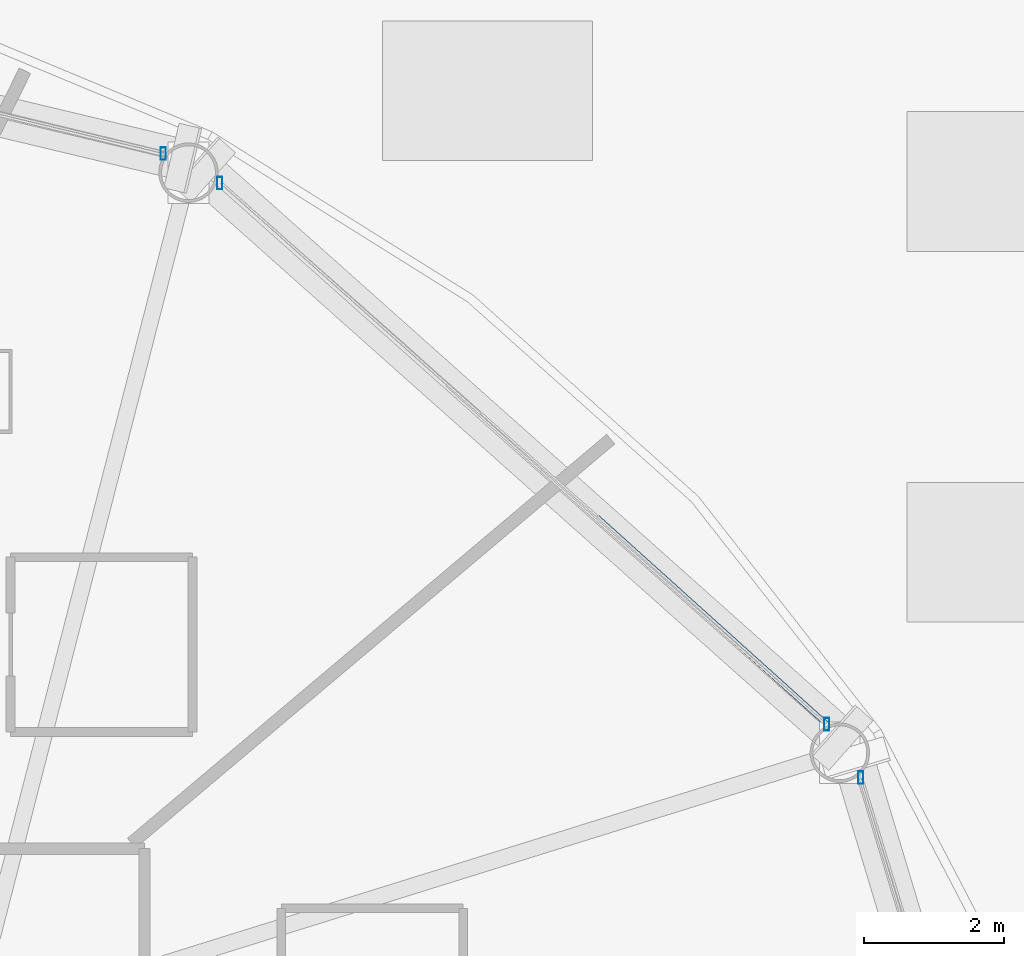
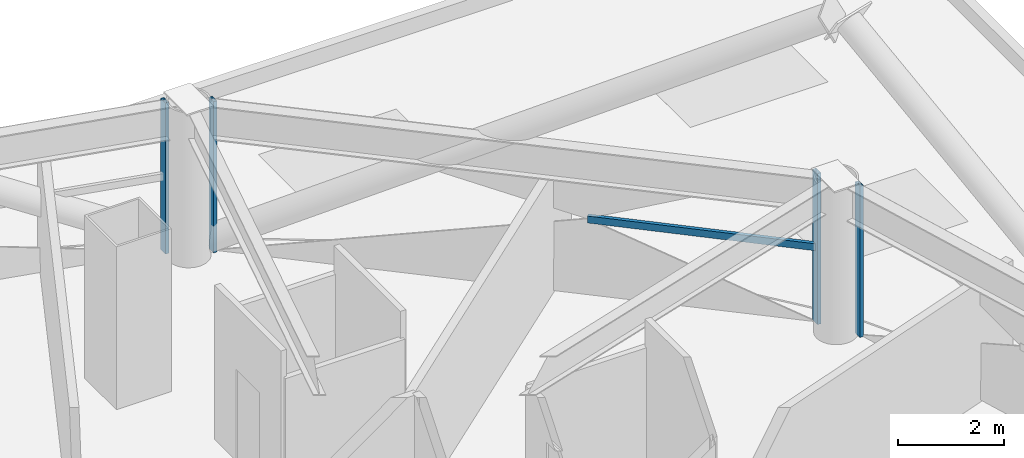
# One storey, part 16 of 27: 5 members, 3 elements without a shape of their own.
"""IFC4 building model written with IfcOpenShell, lengths in metres."""

import ifcopenshell
import ifcopenshell.guid

model = None  # the IFC model being written
_history = None  # IfcOwnerHistory: only IFC2X3 demands one
_inside = {}  # id of a spatial element -> (the spatial element, [elements in it])
_under = {}  # id of a project, library or spatial element -> (it, [spatial elements below it])
_declared = {}  # id of a project -> (the project, [libraries it declares])
_typed = {}  # id of a type object -> (the type object, [elements of that type])
_made_of = {}  # id of a material, layer set ... -> (it, [elements and type objects made of it])


def new_model(schema):
    """Start an empty IFC model of exactly this schema.

    Asked for "IFC4X3", IfcOpenShell would pick the latest addendum, in which some entities
    have other attributes; the version numbers below select the first issue.
    IFC2X3 requires an IfcOwnerHistory on every rooted entity: one is made here for all.
    """
    global model, _history
    if schema == "IFC4X3":
        model = ifcopenshell.file(schema_version=(4, 3, 0, 0))
    else:
        model = ifcopenshell.file(schema=schema)
    _inside.clear()
    _under.clear()
    _declared.clear()
    _typed.clear()
    _made_of.clear()
    _history = None
    if model.schema == "IFC2X3":
        org = make("IfcOrganization", Name="unknown")
        user = make(
            "IfcPersonAndOrganization",
            ThePerson=make("IfcPerson", FamilyName="unknown"),
            TheOrganization=org,
        )
        app = make(
            "IfcApplication",
            ApplicationDeveloper=org,
            Version="unknown",
            ApplicationFullName="unknown",
            ApplicationIdentifier="unknown",
        )
        _history = make(
            "IfcOwnerHistory",
            OwningUser=user,
            OwningApplication=app,
            ChangeAction="ADDED",
            CreationDate=0,
        )
    return model


def make(cls, **values):
    """One entity of the class cls with the attributes given. An attribute that is None is left unset."""
    return model.create_entity(
        cls, **{name: value for name, value in values.items() if value is not None}
    )


def rooted(cls, **values):
    """An entity with a GlobalId (a new one), such as an element, a storey or a relation."""
    return make(cls, GlobalId=ifcopenshell.guid.new(), OwnerHistory=_history, **values)


def si_unit(unit_type, name, prefix=None):
    """IfcSIUnit, for example si_unit("LENGTHUNIT", "METRE", prefix="MILLI")."""
    return make("IfcSIUnit", UnitType=unit_type, Prefix=prefix, Name=name)


def assignment(units):
    """IfcUnitAssignment: the units of a project."""
    return None if units is None else make("IfcUnitAssignment", Units=units)


def point(xyz):
    """IfcCartesianPoint."""
    return None if xyz is None else make("IfcCartesianPoint", Coordinates=xyz)


def direction(xyz):
    """IfcDirection."""
    return None if xyz is None else make("IfcDirection", DirectionRatios=xyz)


def frame(location, z_axis=None, x_axis=None):
    """IfcAxis2Placement3D, a coordinate frame: its origin and axes. An axis left out is left unset."""
    return make(
        "IfcAxis2Placement3D",
        Location=point(location),
        Axis=direction(z_axis),
        RefDirection=direction(x_axis),
    )


def frame_2d(location, x_axis=None):
    """IfcAxis2Placement2D, a coordinate frame in the plane: its origin and x axis."""
    return make(
        "IfcAxis2Placement2D", Location=point(location), RefDirection=direction(x_axis)
    )


def origin():
    """The frame at (0, 0, 0) with its axes left unset."""
    return frame((0.0, 0.0, 0.0))


def origin_2d():
    """The frame at (0, 0) in the plane with its x axis left unset."""
    return frame_2d((0.0, 0.0))


def place(relative_to, where):
    """IfcLocalPlacement: puts the frame where relative to a parent placement (None: the world)."""
    return make(
        "IfcLocalPlacement", PlacementRelTo=relative_to, RelativePlacement=where
    )


def context(
    kind, dimensions, precision=None, world=None, true_north=None, identifier=None
):
    """IfcGeometricRepresentationContext, for example the 3D "Model" context."""
    return make(
        "IfcGeometricRepresentationContext",
        ContextIdentifier=identifier,
        ContextType=kind,
        CoordinateSpaceDimension=dimensions,
        Precision=precision,
        WorldCoordinateSystem=world,
        TrueNorth=true_north,
    )


def subcontext(parent, identifier, kind, view, scale=None):
    """IfcGeometricRepresentationSubContext, for example "Body" below "Model"."""
    return make(
        "IfcGeometricRepresentationSubContext",
        ContextIdentifier=identifier,
        ContextType=kind,
        ParentContext=parent,
        TargetScale=scale,
        TargetView=view,
    )


def project(units=None, contexts=None):
    """IfcProject with its units and contexts."""
    return rooted(
        "IfcProject",
        Name="project",
        RepresentationContexts=contexts,
        UnitsInContext=assignment(units),
    )


def spatial(cls, under=None, at=None, **own):
    """A site, building, storey or space (cls), placed at a placement, below another one or the project."""
    s = rooted(cls, ObjectPlacement=at, **own)
    if under is not None:
        _under.setdefault(under.id(), (under, []))[1].append(s)
    return s


def profile(cls, at=None, kind="AREA", **sizes):
    """A parametric profile (cls). Its sizes go by their IFC names, for example OverallWidth=200.0."""
    return make(cls, ProfileType=kind, Position=at, **sizes)


def hollow_rectangle(**sizes):
    """IfcRectangleHollowProfileDef."""
    return profile("IfcRectangleHollowProfileDef", **sizes)


def extrude(swept, where, along, depth):
    """IfcExtrudedAreaSolid: the profile swept, set in the frame where, extruded along a direction by depth."""
    return make(
        "IfcExtrudedAreaSolid",
        SweptArea=swept,
        Position=where,
        ExtrudedDirection=direction(along),
        Depth=depth,
    )


def shape(context_of_items, identifier, shape_type, items):
    """IfcShapeRepresentation: the items that make up one representation, for example the "Body"."""
    return make(
        "IfcShapeRepresentation",
        ContextOfItems=context_of_items,
        RepresentationIdentifier=identifier,
        RepresentationType=shape_type,
        Items=items,
    )


def material(Name=None, Category=None):
    """IfcMaterial."""
    return make("IfcMaterial", Name=Name, Category=Category)


def layer(
    of_material, thickness, ventilated=None, Name=None, Category=None, Priority=None
):
    """IfcMaterialLayer: one layer of a wall or slab, of a material (None: an air gap)."""
    return make(
        "IfcMaterialLayer",
        Material=of_material,
        LayerThickness=thickness,
        IsVentilated=ventilated,
        Name=Name,
        Category=Category,
        Priority=Priority,
    )


def layer_set(layers, Name=None):
    """IfcMaterialLayerSet."""
    return make("IfcMaterialLayerSet", MaterialLayers=layers, LayerSetName=Name)


def material_profile(
    of_material, cross_section, Name=None, Category=None, Priority=None
):
    """IfcMaterialProfile: a cross section and its material."""
    return make(
        "IfcMaterialProfile",
        Name=Name,
        Material=of_material,
        Profile=cross_section,
        Priority=Priority,
        Category=Category,
    )


def profile_set(profiles, Name=None, composite=None):
    """IfcMaterialProfileSet."""
    return make(
        "IfcMaterialProfileSet",
        Name=Name,
        MaterialProfiles=profiles,
        CompositeProfile=composite,
    )


def made_of(thing, what):
    """Note that an element or type object is made of a material, layer set ...; save() writes the relation."""
    if what is not None:
        _made_of.setdefault(what.id(), (what, []))[1].append(thing)
    return thing


def type_object(cls, material=None, **own):
    """A type object (cls), such as IfcWallType, which elements share."""
    return made_of(rooted(cls, **own), material)


def element(
    cls,
    number,
    at=None,
    inside=None,
    cuts=None,
    type_object=None,
    material=None,
    context=None,
    identifier="Body",
    shape_type=None,
    held_by="IfcProductDefinitionShape",
    body=None,
    shapes=None,
    **own,
):
    """One element of the class cls, such as IfcWall. Its Tag is "e" and its number.

    at: its placement. inside: the storey or other place that contains it. cuts: it is an
    opening in that element (IfcRelVoidsElement). A single representation is given by context,
    identifier, shape_type and body (its items); several are given by shapes. held_by: the class
    of the entity that holds the representations. save() writes the other relations.
    """
    e = rooted(cls, Tag="e%d" % number, ObjectPlacement=at, **own)
    if body is not None:
        shapes = [shape(context, identifier, shape_type, body)]
    if shapes is not None:
        e.Representation = make(held_by, Representations=shapes)
    if inside is not None:
        _inside.setdefault(inside.id(), (inside, []))[1].append(e)
    if cuts is not None:
        rooted(
            "IfcRelVoidsElement", RelatingBuildingElement=cuts, RelatedOpeningElement=e
        )
    if type_object is not None:
        _typed.setdefault(type_object.id(), (type_object, []))[1].append(e)
    return made_of(e, material)


def aggregate(whole, parts):
    """IfcRelAggregates: a whole, such as a stair, and the parts it consists of."""
    return rooted("IfcRelAggregates", RelatingObject=whole, RelatedObjects=parts)


def save(model, path):
    """Write the relations noted so far, then the file.

    IfcRelAggregates (storeys below a building ...), IfcRelContainedInSpatialStructure (elements
    in a storey), IfcRelDefinesByType, IfcRelAssociatesMaterial and IfcRelDeclares: one each for
    every whole, place, type object, material and project.
    """
    for whole, parts in _under.values():
        aggregate(whole, parts)
    for where, things in _inside.values():
        rooted(
            "IfcRelContainedInSpatialStructure",
            RelatedElements=things,
            RelatingStructure=where,
        )
    for kind, things in _typed.values():
        rooted("IfcRelDefinesByType", RelatedObjects=things, RelatingType=kind)
    for what, things in _made_of.values():
        rooted("IfcRelAssociatesMaterial", RelatedObjects=things, RelatingMaterial=what)
    for by, libraries in _declared.values():
        rooted("IfcRelDeclares", RelatingContext=by, RelatedDefinitions=libraries)
    model.write(path)


model = new_model("IFC4")

# Units and contexts
model_context = context("Model", 3, precision=1e-05, world=origin(), true_north=direction((0.0, 1.0)))
body_context = subcontext(model_context, "Body", "Model", "MODEL_VIEW")
ifc_project = project(units=[si_unit("LENGTHUNIT", "METRE"), si_unit("AREAUNIT", "SQUARE_METRE"), si_unit("VOLUMEUNIT", "CUBIC_METRE"), si_unit("PLANEANGLEUNIT", "RADIAN"), si_unit("MASSUNIT", "GRAM", prefix="KILO")], contexts=[model_context])

# Site, building, storey
site_placement = place(None, origin())
site = spatial("IfcSite", under=ifc_project, at=site_placement, CompositionType="ELEMENT")
building_placement = place(site_placement, origin())
building = spatial("IfcBuilding", under=site, at=building_placement, Name="Vantalir Tower", CompositionType="ELEMENT")
storey_placement = place(building_placement, frame((0.0, 0.0, 27.0)))
storey = spatial("IfcBuildingStorey", under=building, at=storey_placement, Name="L05", CompositionType="ELEMENT", Elevation=27.0)

# Curtain wall, member
ifc_material_1 = material(Name="Champagne-silver PVDF aluminium and double-silver Low-E glass", Category="aluminium")
ifc_layer = layer(ifc_material_1, 0.18994140625)
ifc_layer_set = layer_set([ifc_layer], Name="Champagne-silver PVDF aluminium and double-silver Low-E glass")
curtain_wall_type = type_object("IfcCurtainWallType", Name="CW-DIAMOND-Z1", PredefinedType="USERDEFINED", material=ifc_layer_set)
curtain_wall_1_placement = place(storey_placement, origin())
curtain_wall_1 = element("IfcCurtainWall", 1, at=curtain_wall_1_placement, inside=storey, type_object=curtain_wall_type, Name="L05 Quilted Pyramid-Diamond Curtain Wall S01", ObjectType="UNITISED CURTAIN WALL", PredefinedType="USERDEFINED")
ifc_material_2 = material(Name="Champagne-silver PVDF aluminium 6063-T6", Category="aluminium")
ifc_material_profile_1 = material_profile(ifc_material_2, hollow_rectangle(XDim=0.074951171875, YDim=0.179931640625, WallThickness=0.00390625, at=origin_2d()), Name="Champagne-silver PVDF aluminium 6063-T6")
ifc_profile_set_1 = profile_set([ifc_material_profile_1], Name="Champagne-silver PVDF aluminium 6063-T6")
member_type_1 = type_object("IfcMemberType", Name="CWM-180x75", PredefinedType="MULLION", material=ifc_profile_set_1)
member_1_placement = place(storey_placement, frame((53.840087890625, 35.97705078125, 0.044921875), z_axis=(0.0, 0.0, 1.0), x_axis=(1.0, 0.0, 0.0)))
member_1 = element("IfcMember", 2, at=member_1_placement, type_object=member_type_1, Name="CW-L05-S01 Mullion 2", PredefinedType="MULLION", context=body_context, shape_type="SweptSolid", body=[
    extrude(hollow_rectangle(XDim=0.074951171875, YDim=0.179931640625, WallThickness=0.00390625, at=origin_2d()), origin(), (0.0, 0.0, 1.0), 3.47998046875),
])
aggregate(curtain_wall_1, [member_1])

# Curtain wall, members
curtain_wall_2_placement = place(storey_placement, origin())
curtain_wall_2 = element("IfcCurtainWall", 3, at=curtain_wall_2_placement, inside=storey, type_object=curtain_wall_type, Name="L05 Quilted Pyramid-Diamond Curtain Wall S02", ObjectType="UNITISED CURTAIN WALL", PredefinedType="USERDEFINED")
member_2_placement = place(storey_placement, frame((53.35400390625, 36.739990234375, 0.044921875), z_axis=(0.0, 0.0, 1.0), x_axis=(1.0, 0.0, 0.0)))
member_2 = element("IfcMember", 4, at=member_2_placement, type_object=member_type_1, Name="CW-L05-S02 Mullion 1", PredefinedType="MULLION", context=body_context, shape_type="SweptSolid", body=[
    extrude(hollow_rectangle(XDim=0.074951171875, YDim=0.179931640625, WallThickness=0.00390625, at=origin_2d()), origin(), (0.0, 0.0, 1.0), 3.47998046875),
])
member_3_placement = place(storey_placement, frame((44.6708984375, 44.47900390625, 0.044921875), z_axis=(0.0, 0.0, 1.0), x_axis=(1.0, 0.0, 0.0)))
member_3 = element("IfcMember", 5, at=member_3_placement, type_object=member_type_1, Name="CW-L05-S02 Mullion 2", PredefinedType="MULLION", context=body_context, shape_type="SweptSolid", body=[
    extrude(hollow_rectangle(XDim=0.074951171875, YDim=0.179931640625, WallThickness=0.00390625, at=origin_2d()), origin(), (0.0, 0.0, 1.0), 3.47998046875),
])

# Curtain wall, member
curtain_wall_3_placement = place(storey_placement, origin())
curtain_wall_3 = element("IfcCurtainWall", 6, at=curtain_wall_3_placement, inside=storey, type_object=curtain_wall_type, Name="L05 Quilted Pyramid-Diamond Curtain Wall S03", ObjectType="UNITISED CURTAIN WALL", PredefinedType="USERDEFINED")
member_4_placement = place(storey_placement, frame((43.863037109375, 44.90087890625, 0.044921875), z_axis=(0.0, 0.0, 1.0), x_axis=(1.0, 0.0, 0.0)))
member_4 = element("IfcMember", 7, at=member_4_placement, type_object=member_type_1, Name="CW-L05-S03 Mullion 1", PredefinedType="MULLION", context=body_context, shape_type="SweptSolid", body=[
    extrude(hollow_rectangle(XDim=0.074951171875, YDim=0.179931640625, WallThickness=0.00390625, at=origin_2d()), origin(), (0.0, 0.0, 1.0), 3.47998046875),
])
aggregate(curtain_wall_3, [member_4])

# Member
ifc_material_profile_2 = material_profile(ifc_material_2, hollow_rectangle(XDim=0.074951171875, YDim=0.159912109375, WallThickness=0.00390625, at=origin_2d()), Name="Champagne-silver PVDF aluminium 6063-T6")
ifc_profile_set_2 = profile_set([ifc_material_profile_2], Name="Champagne-silver PVDF aluminium 6063-T6")
member_type_2 = type_object("IfcMemberType", Name="CWT-160x75", PredefinedType="USERDEFINED", material=ifc_profile_set_2)
member_5_placement = place(storey_placement, frame((53.35400390625, 36.739990234375, 1.784912109375), z_axis=(-0.7429394407, 0.669358638887, 0.0), x_axis=(-0.669358638887, -0.7429394407, 0.0)))
member_5 = element("IfcMember", 8, at=member_5_placement, type_object=member_type_2, Name="CW-L05-S02 Pyramid Fold Ridge Transom", ObjectType="TRANSOM", PredefinedType="USERDEFINED", context=body_context, shape_type="SweptSolid", body=[
    extrude(hollow_rectangle(XDim=0.074951171875, YDim=0.159912109375, WallThickness=0.00390625, at=origin_2d()), origin(), (0.0, 0.0, 1.0), 4.416259765625),
])

aggregate(curtain_wall_2, [member_2, member_3, member_5])

save(model, "model.ifc")
